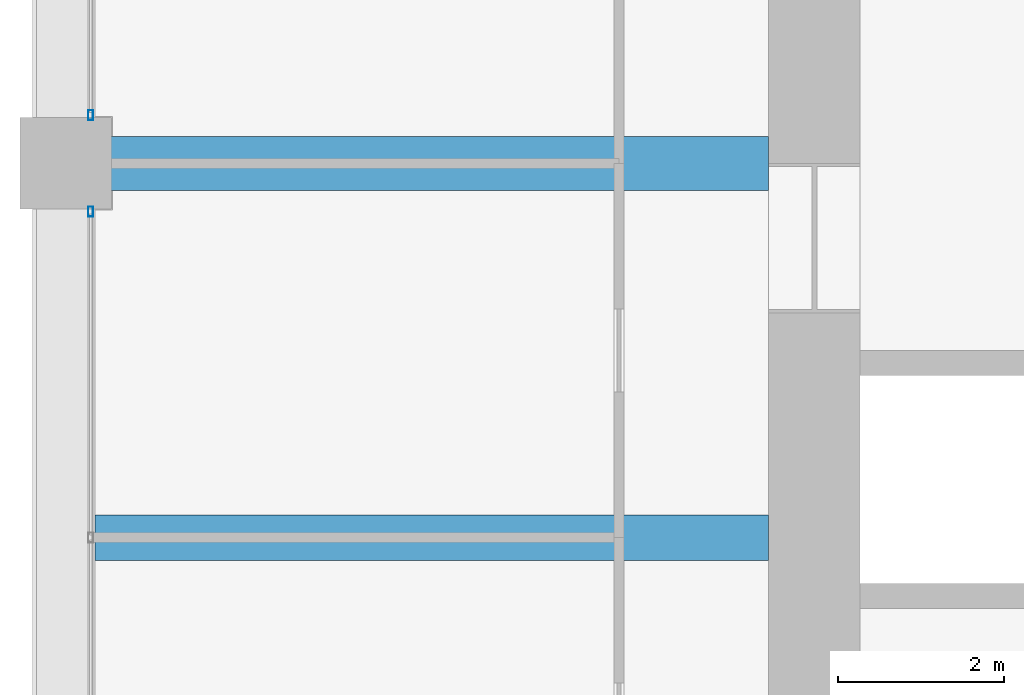
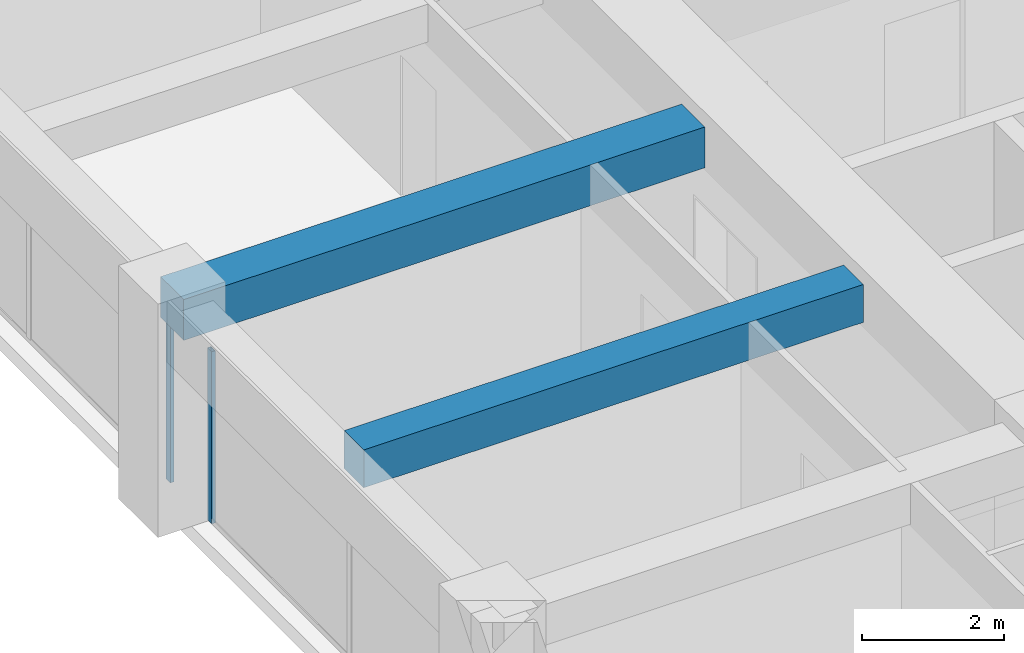
# One storey, part 15 of 45: 2 beams, 2 members, 2 elements without a shape of their own.
"""IFC4 building model written with IfcOpenShell, lengths in metres."""

from ifc_helpers import new_model, si_unit, direction, frame, origin, origin_2d, place, context, subcontext, project, spatial, rectangle, hollow_rectangle, extrude, material, material_profile, profile_set, type_object, element, aggregate, save


model = new_model("IFC4")

# Units and contexts
model_context = context("Model", 3, precision=1e-05, world=origin(), true_north=direction((0.0, 1.0)))
body_context = subcontext(model_context, "Body", "Model", "MODEL_VIEW")
ifc_project = project(units=[si_unit("LENGTHUNIT", "METRE"), si_unit("AREAUNIT", "SQUARE_METRE"), si_unit("VOLUMEUNIT", "CUBIC_METRE"), si_unit("PLANEANGLEUNIT", "RADIAN"), si_unit("MASSUNIT", "GRAM", prefix="KILO")], contexts=[model_context])

# Site, building, storey
site_placement = place(None, origin())
site = spatial("IfcSite", under=ifc_project, at=site_placement, CompositionType="ELEMENT")
building_placement = place(site_placement, origin())
building = spatial("IfcBuilding", under=site, at=building_placement, Name="Zorevar Civic Tower", CompositionType="ELEMENT")
storey_placement = place(building_placement, frame((0.0, 0.0, 303.39990234375)))
storey = spatial("IfcBuildingStorey", under=building, at=storey_placement, Name="L74", CompositionType="ELEMENT", Elevation=303.39990234375)

# Beams
ifc_material_1 = material(Name="Concrete C50/60", Category="concrete")
ifc_material_profile_1 = material_profile(ifc_material_1, rectangle(XDim=0.550048828125, YDim=0.64990234375, at=origin_2d()), Name="RC 550x650")
ifc_profile_set_1 = profile_set([ifc_material_profile_1], Name="Concrete C50/60")
beam_type_1 = type_object("IfcBeamType", Name="Beam RC 550x650", PredefinedType="BEAM", material=ifc_profile_set_1)
beam_1_placement = place(storey_placement, frame((9.35009765625, 22.5, 3.425048828125), z_axis=(1.0, 0.0, 0.0), x_axis=(0.0, 1.0, 0.0)))
element("IfcBeam", 1, at=beam_1_placement, inside=storey, type_object=beam_type_1, Name="Secondary beam L75", PredefinedType="BEAM", context=body_context, shape_type="SweptSolid", body=[
    extrude(rectangle(XDim=0.550048828125, YDim=0.64990234375, at=origin_2d()), origin(), (0.0, 0.0, 1.0), 8.099853515625),
])
ifc_material_2 = material(Name="Concrete C50/60", Category="concrete")
ifc_material_profile_2 = material_profile(ifc_material_2, rectangle(XDim=0.64990234375, YDim=0.699951171875, at=origin_2d()), Name="RC 650x700")
ifc_profile_set_2 = profile_set([ifc_material_profile_2], Name="Concrete C50/60")
beam_type_2 = type_object("IfcBeamType", Name="Beam RC 650x700", PredefinedType="BEAM", material=ifc_profile_set_2)
beam_2_placement = place(storey_placement, frame((9.0, 27.0, 3.400146484375), z_axis=(1.0, 0.0, 0.0), x_axis=(0.0, 1.0, 0.0)))
element("IfcBeam", 2, at=beam_2_placement, inside=storey, type_object=beam_type_2, Name="Girder L75", PredefinedType="BEAM", context=body_context, shape_type="SweptSolid", body=[
    extrude(rectangle(XDim=0.64990234375, YDim=0.699951171875, at=origin_2d()), origin(), (0.0, 0.0, 1.0), 8.449951171875),
])

# Curtain wall, member
ifc_material_3 = material(Name="Dark grey solar-control glass in black aluminium frame", Category="aluminium")
curtain_wall_type = type_object("IfcCurtainWallType", Name="Curtain wall CW5 top zone", PredefinedType="NOTDEFINED", material=ifc_material_3)
curtain_wall_1_placement = place(storey_placement, origin())
curtain_wall_1 = element("IfcCurtainWall", 3, at=curtain_wall_1_placement, inside=storey, type_object=curtain_wall_type, Name="CW5 L74", PredefinedType="NOTDEFINED")
ifc_material_4 = material(Name="Aluminium, black anodised", Category="aluminium")
ifc_material_profile_3 = material_profile(ifc_material_4, hollow_rectangle(XDim=0.06005859375, YDim=0.1201171875, WallThickness=0.0029296875, at=origin_2d()), Name="AL 120x60x3")
ifc_profile_set_3 = profile_set([ifc_material_profile_3], Name="Aluminium, black anodised")
member_type = type_object("IfcMemberType", Name="CW5 mullion AL 120x60x3", PredefinedType="MULLION", material=ifc_profile_set_3)
member_1_placement = place(storey_placement, frame((9.300048828125, 26.419921875, 0.0), z_axis=(0.0, 0.0, 1.0), x_axis=(-1.0, 0.0, 0.0)))
member_1 = element("IfcMember", 4, at=member_1_placement, type_object=member_type, Name="CW5 mullion 3", PredefinedType="MULLION", context=body_context, shape_type="SweptSolid", body=[
    extrude(hollow_rectangle(XDim=0.06005859375, YDim=0.1201171875, WallThickness=0.0029296875, at=origin_2d()), origin(), (0.0, 0.0, 1.0), 2.9501953125),
])
aggregate(curtain_wall_1, [member_1])

curtain_wall_2_placement = place(storey_placement, origin())
curtain_wall_2 = element("IfcCurtainWall", 5, at=curtain_wall_2_placement, inside=storey, type_object=curtain_wall_type, Name="CW5 L74", PredefinedType="NOTDEFINED")
member_2_placement = place(storey_placement, frame((9.300048828125, 27.580078125, 0.0), z_axis=(0.0, 0.0, 1.0), x_axis=(-1.0, 0.0, 0.0)))
member_2 = element("IfcMember", 6, at=member_2_placement, type_object=member_type, Name="CW5 mullion 1", PredefinedType="MULLION", context=body_context, shape_type="SweptSolid", body=[
    extrude(hollow_rectangle(XDim=0.06005859375, YDim=0.1201171875, WallThickness=0.0029296875, at=origin_2d()), origin(), (0.0, 0.0, 1.0), 2.9501953125),
])
aggregate(curtain_wall_2, [member_2])

save(model, "model.ifc")
